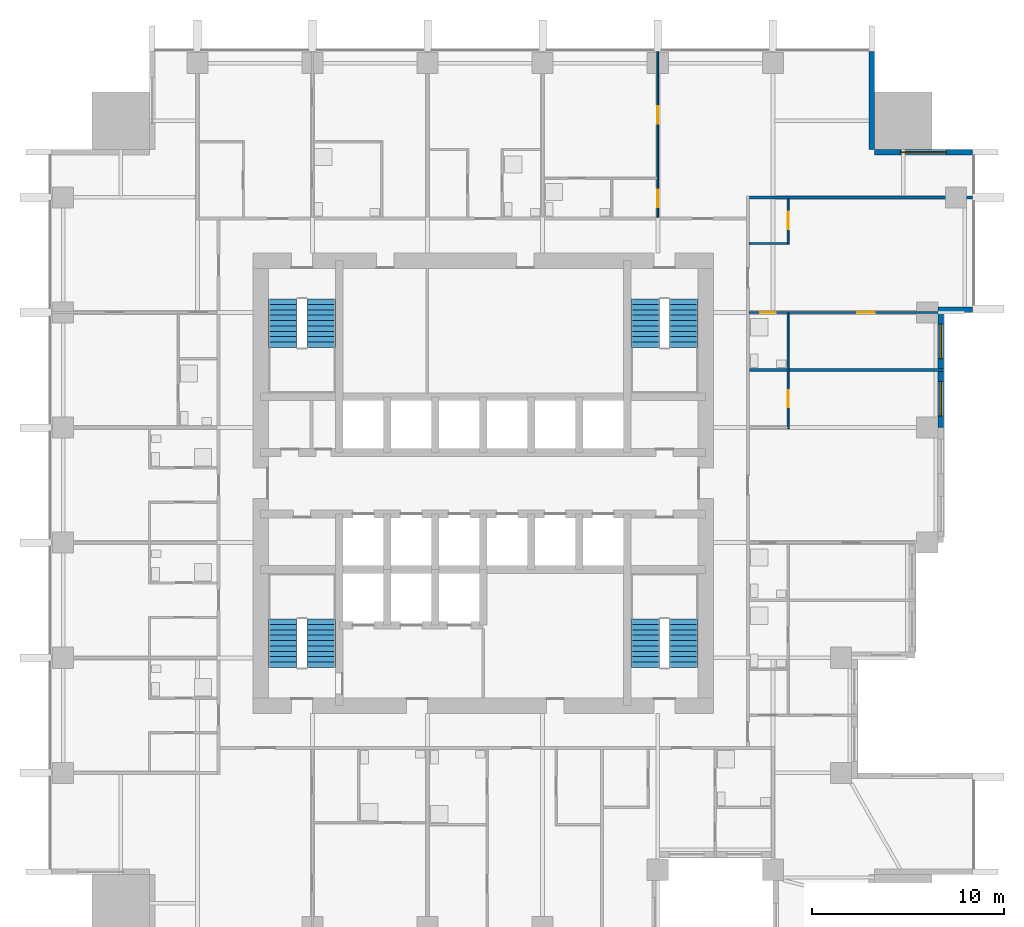
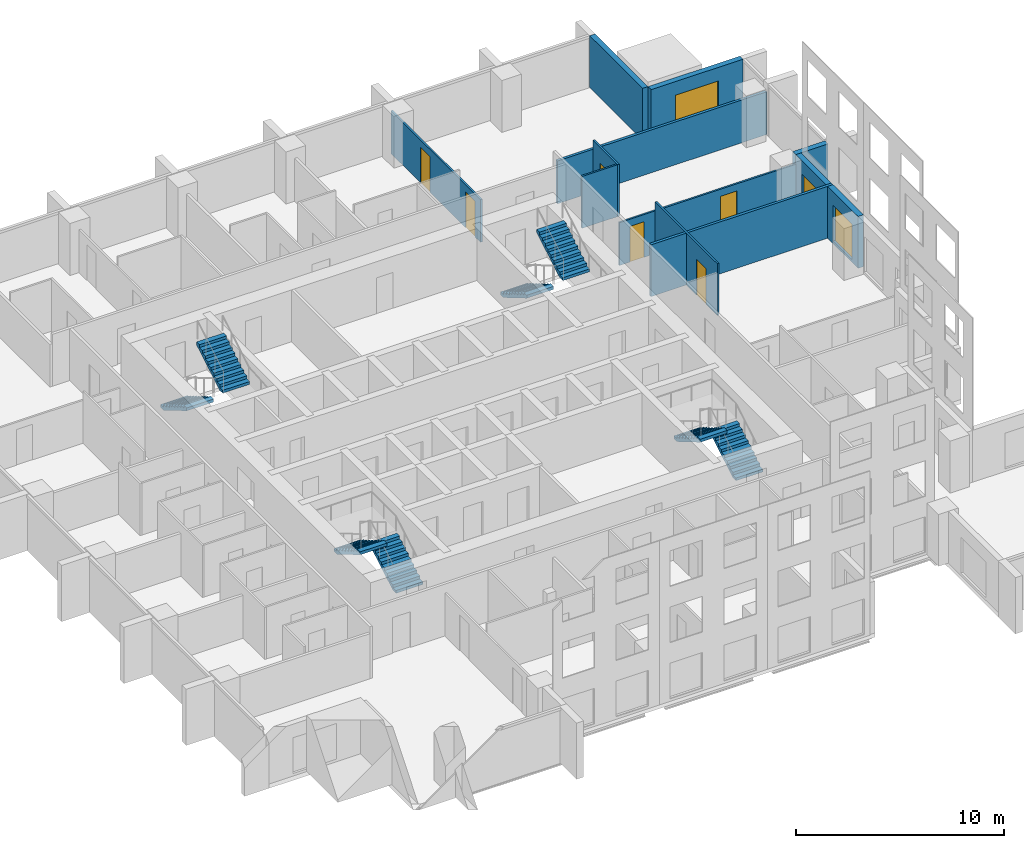
# One storey, part 8 of 11: 11 walls, 8 stair flights, 6 doors, 3 windows, 9 openings, 4 elements without a shape of their own.
"""IFC4 building model written with IfcOpenShell, lengths in metres."""

from ifc_helpers import new_model, si_unit, direction, frame, frame_2d, origin, place, context, subcontext, project, spatial, polyline, rectangle, outline, extrude, material, layer, layer_set, type_object, element, fill, aggregate, save


model = new_model("IFC4")

# Units and contexts
model_context = context("Model", 3, precision=1e-05, world=origin(), true_north=direction((0.0, 1.0)))
body_context = subcontext(model_context, "Body", "Model", "MODEL_VIEW")
ifc_project = project(units=[si_unit("LENGTHUNIT", "METRE"), si_unit("AREAUNIT", "SQUARE_METRE"), si_unit("VOLUMEUNIT", "CUBIC_METRE"), si_unit("PLANEANGLEUNIT", "RADIAN"), si_unit("MASSUNIT", "GRAM", prefix="KILO")], contexts=[model_context])

# Site, building, storey
site_placement = place(None, origin())
site = spatial("IfcSite", under=ifc_project, at=site_placement, CompositionType="ELEMENT")
building_placement = place(site_placement, origin())
building = spatial("IfcBuilding", under=site, at=building_placement, Name="Amberfall Residences", CompositionType="ELEMENT")
storey_placement = place(building_placement, frame((0.0, 0.0, 98.5)))
storey = spatial("IfcBuildingStorey", under=building, at=storey_placement, Name="L26", CompositionType="ELEMENT", Elevation=98.5)

# Wall
ifc_material_1 = material(Name="Pale stone cladding on insulated backing", Category="masonry")
ifc_layer_1 = layer(ifc_material_1, 0.300048828125)
ifc_layer_set_1 = layer_set([ifc_layer_1], Name="Bronze clad wall 300")
wall_type_1 = type_object("IfcWallType", Name="Bronze clad wall 300", PredefinedType="SOLIDWALL", material=ifc_layer_set_1)
wall_1_placement = place(storey_placement, frame((98.199951171875, 54.550048828125, 0.0), z_axis=(0.0, 0.0, 1.0), x_axis=(1.0, 0.0, 0.0)))
element("IfcWall", 1, at=wall_1_placement, inside=storey, type_object=wall_type_1, Name="External wall L26 E", PredefinedType="SOLIDWALL", context=body_context, shape_type="SweptSolid", body=[
    extrude(rectangle(XDim=1.800048828125, YDim=0.300048828125, at=frame_2d((0.89990234375, 0.0))), origin(), (0.0, 0.0, 1.0), 3.050048828125),
])

# Wall, opening, window
wall_2_placement = place(storey_placement, frame((100.0, 62.75, 0.0), z_axis=(0.0, 0.0, 1.0), x_axis=(-1.0, 0.0, 0.0)))
wall_2 = element("IfcWall", 2, at=wall_2_placement, inside=storey, type_object=wall_type_1, Name="External wall L26 NE", PredefinedType="SOLIDWALL", context=body_context, shape_type="SweptSolid", body=[
    extrude(rectangle(XDim=5.10009765625, YDim=0.300048828125, at=frame_2d((2.550048828125, 0.0))), origin(), (0.0, 0.0, 1.0), 3.050048828125),
])
opening_1_placement = place(wall_2_placement, frame((1.35009765625, 0.0, 0.14990234375)))
opening_1 = element("IfcOpeningElement", 3, at=opening_1_placement, cuts=wall_2, Name="Opening WN5", PredefinedType="OPENING", context=body_context, shape_type="SweptSolid", body=[
    extrude(rectangle(XDim=2.39990234375, YDim=2.10009765625, at=frame_2d((1.199951171875, 1.050048828125))), frame((0.0, 0.159912109375, 0.0), z_axis=(0.0, -1.0, 0.0), x_axis=(1.0, 0.0, 0.0)), (0.0, 0.0, 1.0), 0.320068359375),
])
ifc_material_2 = material(Name="Bronze aluminium framed glazing", Category="aluminium")
window_type_1 = type_object("IfcWindowType", Name="Glazed opening 2400 x 2100 bronze", PartitioningType="DOUBLE_PANEL_VERTICAL", PredefinedType="WINDOW", material=ifc_material_2)
window_1_placement = place(opening_1_placement, origin())
window_1 = element("IfcWindow", 4, at=window_1_placement, inside=storey, type_object=window_type_1, Name="Window L26 NE", OverallHeight=2.10009765625, OverallWidth=2.39990234375, PartitioningType="DOUBLE_PANEL_VERTICAL", PredefinedType="WINDOW", context=body_context, shape_type="SweptSolid", body=[
    extrude(rectangle(XDim=2.39990234375, YDim=2.10009765625, at=frame_2d((1.199951171875, 1.050048828125))), frame((0.0, 0.030029296875, 0.0), z_axis=(0.0, -1.0, 0.0), x_axis=(1.0, 0.0, 0.0)), (0.0, 0.0, 1.0), 0.06005859375),
])
fill(opening_1, window_1)

# Wall
wall_3_placement = place(storey_placement, frame((94.75, 62.89990234375, 0.0), z_axis=(0.0, 0.0, 1.0), x_axis=(0.0, 1.0, 0.0)))
element("IfcWall", 5, at=wall_3_placement, inside=storey, type_object=wall_type_1, Name="External wall L26 NE", PredefinedType="SOLIDWALL", context=body_context, shape_type="SweptSolid", body=[
    extrude(rectangle(XDim=5.10009765625, YDim=0.300048828125, at=frame_2d((2.550048828125, 0.0))), origin(), (0.0, 0.0, 1.0), 3.050048828125),
])

# Wall, openings, windows
wall_4_placement = place(storey_placement, frame((98.35009765625, 48.39990234375, 0.0), z_axis=(0.0, 0.0, 1.0), x_axis=(0.0, 1.0, 0.0)))
wall_4 = element("IfcWall", 6, at=wall_4_placement, inside=storey, type_object=wall_type_1, Name="Stone wall L26 E", PredefinedType="SOLIDWALL", context=body_context, shape_type="SweptSolid", body=[
    extrude(rectangle(XDim=6.0, YDim=0.300048828125, at=frame_2d((3.0, 0.0))), origin(), (0.0, 0.0, 1.0), 3.050048828125),
])
opening_2_placement = place(wall_4_placement, frame((0.60009765625, 0.0, 0.14990234375)))
opening_2 = element("IfcOpeningElement", 7, at=opening_2_placement, cuts=wall_4, Name="Opening WN6", PredefinedType="OPENING", context=body_context, shape_type="SweptSolid", body=[
    extrude(rectangle(XDim=1.800048828125, YDim=2.10009765625, at=frame_2d((0.89990234375, 1.050048828125))), frame((0.0, 0.159912109375, 0.0), z_axis=(0.0, -1.0, 0.0), x_axis=(1.0, 0.0, 0.0)), (0.0, 0.0, 1.0), 0.320068359375),
])
opening_3_placement = place(wall_4_placement, frame((3.60009765625, 0.0, 0.14990234375)))
opening_3 = element("IfcOpeningElement", 8, at=opening_3_placement, cuts=wall_4, Name="Opening WN6", PredefinedType="OPENING", context=body_context, shape_type="SweptSolid", body=[
    extrude(rectangle(XDim=1.800048828125, YDim=2.10009765625, at=frame_2d((0.89990234375, 1.050048828125))), frame((0.0, 0.159912109375, 0.0), z_axis=(0.0, -1.0, 0.0), x_axis=(1.0, 0.0, 0.0)), (0.0, 0.0, 1.0), 0.320068359375),
])
window_type_2 = type_object("IfcWindowType", Name="Glazed opening 1800 x 2100 bronze", PartitioningType="DOUBLE_PANEL_VERTICAL", PredefinedType="WINDOW", material=ifc_material_2)
window_2_placement = place(opening_2_placement, origin())
window_2 = element("IfcWindow", 9, at=window_2_placement, inside=storey, type_object=window_type_2, Name="Window L26 E", OverallHeight=2.10009765625, OverallWidth=1.800048828125, PartitioningType="DOUBLE_PANEL_VERTICAL", PredefinedType="WINDOW", context=body_context, shape_type="SweptSolid", body=[
    extrude(rectangle(XDim=1.800048828125, YDim=2.10009765625, at=frame_2d((0.89990234375, 1.050048828125))), frame((0.0, 0.030029296875, 0.0), z_axis=(0.0, -1.0, 0.0), x_axis=(1.0, 0.0, 0.0)), (0.0, 0.0, 1.0), 0.06005859375),
])
fill(opening_2, window_2)
window_3_placement = place(opening_3_placement, origin())
window_3 = element("IfcWindow", 10, at=window_3_placement, inside=storey, type_object=window_type_2, Name="Window L26 E", OverallHeight=2.10009765625, OverallWidth=1.800048828125, PartitioningType="DOUBLE_PANEL_VERTICAL", PredefinedType="WINDOW", context=body_context, shape_type="SweptSolid", body=[
    extrude(rectangle(XDim=1.800048828125, YDim=2.10009765625, at=frame_2d((0.89990234375, 1.050048828125))), frame((0.0, 0.030029296875, 0.0), z_axis=(0.0, -1.0, 0.0), x_axis=(1.0, 0.0, 0.0)), (0.0, 0.0, 1.0), 0.06005859375),
])
fill(opening_3, window_3)

# Wall, openings, doors
ifc_material_3 = material(Name="Gypsum board on metal stud")
ifc_layer_2 = layer(ifc_material_3, 0.10009765625)
ifc_layer_set_2 = layer_set([ifc_layer_2], Name="Flat partition 100")
wall_type_2 = type_object("IfcWallType", Name="Flat partition 100", PredefinedType="PARTITIONING", material=ifc_layer_set_2)
wall_5_placement = place(storey_placement, frame((83.60009765625, 59.375, 0.0), z_axis=(0.0, 0.0, 1.0), x_axis=(0.0, 1.0, 0.0)))
wall_5 = element("IfcWall", 11, at=wall_5_placement, inside=storey, type_object=wall_type_2, Name="Partition 017", PredefinedType="PARTITIONING", context=body_context, shape_type="SweptSolid", body=[
    extrude(rectangle(XDim=8.625, YDim=0.10009765625, at=frame_2d((4.3125, 0.0))), origin(), (0.0, 0.0, 1.0), 2.51611328125),
])
opening_4_placement = place(wall_5_placement, frame((0.52490234375, 0.0, 0.0)))
opening_4 = element("IfcOpeningElement", 12, at=opening_4_placement, cuts=wall_5, Name="Opening D41", PredefinedType="OPENING", context=body_context, shape_type="SweptSolid", body=[
    extrude(rectangle(XDim=0.89990234375, YDim=2.10009765625, at=frame_2d((0.449951171875, 1.050048828125))), frame((0.0, 0.06005859375, 0.0), z_axis=(0.0, -1.0, 0.0), x_axis=(1.0, 0.0, 0.0)), (0.0, 0.0, 1.0), 0.1201171875),
])
opening_5_placement = place(wall_5_placement, frame((4.875, 0.0, 0.0)))
opening_5 = element("IfcOpeningElement", 13, at=opening_5_placement, cuts=wall_5, Name="Opening D41", PredefinedType="OPENING", context=body_context, shape_type="SweptSolid", body=[
    extrude(rectangle(XDim=0.89990234375, YDim=2.10009765625, at=frame_2d((0.449951171875, 1.050048828125))), frame((0.0, 0.06005859375, 0.0), z_axis=(0.0, -1.0, 0.0), x_axis=(1.0, 0.0, 0.0)), (0.0, 0.0, 1.0), 0.1201171875),
])
ifc_material_4 = material(Name="Timber", Category="wood")
door_type_1 = type_object("IfcDoorType", Name="Internal door 900 x 2100", OperationType="SINGLE_SWING_LEFT", PredefinedType="DOOR", material=ifc_material_4)
door_1_placement = place(opening_4_placement, origin())
door_1 = element("IfcDoor", 14, at=door_1_placement, inside=storey, type_object=door_type_1, Name="Door 2609 kitchen", OperationType="SINGLE_SWING_LEFT", OverallHeight=2.10009765625, OverallWidth=0.89990234375, PredefinedType="DOOR", context=body_context, shape_type="SweptSolid", body=[
    extrude(rectangle(XDim=0.89990234375, YDim=2.10009765625, at=frame_2d((0.449951171875, 1.050048828125))), frame((0.0, 0.02490234375, 0.0), z_axis=(0.0, -1.0, 0.0), x_axis=(1.0, 0.0, 0.0)), (0.0, 0.0, 1.0), 0.050048828125),
])
fill(opening_4, door_1)
door_2_placement = place(opening_5_placement, origin())
door_2 = element("IfcDoor", 15, at=door_2_placement, inside=storey, type_object=door_type_1, Name="Door 2609 bedroom1", OperationType="SINGLE_SWING_LEFT", OverallHeight=2.10009765625, OverallWidth=0.89990234375, PredefinedType="DOOR", context=body_context, shape_type="SweptSolid", body=[
    extrude(rectangle(XDim=0.89990234375, YDim=2.10009765625, at=frame_2d((0.449951171875, 1.050048828125))), frame((0.0, 0.02490234375, 0.0), z_axis=(0.0, -1.0, 0.0), x_axis=(1.0, 0.0, 0.0)), (0.0, 0.0, 1.0), 0.050048828125),
])
fill(opening_5, door_2)

# Wall, opening, door
wall_6_placement = place(storey_placement, frame((90.39990234375, 48.35009765625, 0.0), z_axis=(0.0, 0.0, 1.0), x_axis=(0.0, 1.0, 0.0)))
wall_6 = element("IfcWall", 16, at=wall_6_placement, inside=storey, type_object=wall_type_2, Name="Partition 020", PredefinedType="PARTITIONING", context=body_context, shape_type="SweptSolid", body=[
    extrude(rectangle(XDim=6.0, YDim=0.10009765625, at=frame_2d((3.0, 0.0))), origin(), (0.0, 0.0, 1.0), 3.050048828125),
])
opening_6_placement = place(wall_6_placement, frame((1.10009765625, 0.0, 0.0)))
opening_6 = element("IfcOpeningElement", 17, at=opening_6_placement, cuts=wall_6, Name="Opening D41", PredefinedType="OPENING", context=body_context, shape_type="SweptSolid", body=[
    extrude(rectangle(XDim=0.89990234375, YDim=2.10009765625, at=frame_2d((0.449951171875, 1.050048828125))), frame((0.0, 0.06005859375, 0.0), z_axis=(0.0, -1.0, 0.0), x_axis=(1.0, 0.0, 0.0)), (0.0, 0.0, 1.0), 0.1201171875),
])
door_3_placement = place(opening_6_placement, origin())
door_3 = element("IfcDoor", 18, at=door_3_placement, inside=storey, type_object=door_type_1, Name="Door 2605 kitchen", OperationType="SINGLE_SWING_LEFT", OverallHeight=2.10009765625, OverallWidth=0.89990234375, PredefinedType="DOOR", context=body_context, shape_type="SweptSolid", body=[
    extrude(rectangle(XDim=0.89990234375, YDim=2.10009765625, at=frame_2d((0.449951171875, 1.050048828125))), frame((0.0, 0.02490234375, 0.0), z_axis=(0.0, -1.0, 0.0), x_axis=(1.0, 0.0, 0.0)), (0.0, 0.0, 1.0), 0.050048828125),
])
fill(opening_6, door_3)

wall_7_placement = place(storey_placement, frame((90.39990234375, 57.949951171875, 0.0), z_axis=(0.0, 0.0, 1.0), x_axis=(0.0, 1.0, 0.0)))
wall_7 = element("IfcWall", 19, at=wall_7_placement, inside=storey, type_object=wall_type_2, Name="Partition 021", PredefinedType="PARTITIONING", context=body_context, shape_type="SweptSolid", body=[
    extrude(rectangle(XDim=2.375, YDim=0.10009765625, at=frame_2d((1.1875, 0.0))), origin(), (0.0, 0.0, 1.0), 3.050048828125),
])
opening_7_placement = place(wall_7_placement, frame((0.800048828125, 0.0, 0.0)))
opening_7 = element("IfcOpeningElement", 20, at=opening_7_placement, cuts=wall_7, Name="Opening D41", PredefinedType="OPENING", context=body_context, shape_type="SweptSolid", body=[
    extrude(rectangle(XDim=0.89990234375, YDim=2.10009765625, at=frame_2d((0.449951171875, 1.050048828125))), frame((0.0, 0.06005859375, 0.0), z_axis=(0.0, -1.0, 0.0), x_axis=(1.0, 0.0, 0.0)), (0.0, 0.0, 1.0), 0.1201171875),
])
door_4_placement = place(opening_7_placement, origin())
door_4 = element("IfcDoor", 21, at=door_4_placement, inside=storey, type_object=door_type_1, Name="Door 2606 kitchen", OperationType="SINGLE_SWING_LEFT", OverallHeight=2.10009765625, OverallWidth=0.89990234375, PredefinedType="DOOR", context=body_context, shape_type="SweptSolid", body=[
    extrude(rectangle(XDim=0.89990234375, YDim=2.10009765625, at=frame_2d((0.449951171875, 1.050048828125))), frame((0.0, 0.02490234375, 0.0), z_axis=(0.0, -1.0, 0.0), x_axis=(1.0, 0.0, 0.0)), (0.0, 0.0, 1.0), 0.050048828125),
])
fill(opening_7, door_4)

# Wall
wall_8_placement = place(storey_placement, frame((88.375, 58.0, 0.0), z_axis=(0.0, 0.0, 1.0), x_axis=(1.0, 0.0, 0.0)))
element("IfcWall", 22, at=wall_8_placement, inside=storey, type_object=wall_type_2, Name="Partition 027", PredefinedType="PARTITIONING", context=body_context, shape_type="SweptSolid", body=[
    extrude(rectangle(XDim=1.97509765625, YDim=0.10009765625, at=frame_2d((0.987548828125, 0.0))), origin(), (0.0, 0.0, 1.0), 3.050048828125),
])

# Wall, openings, doors
wall_9_placement = place(storey_placement, frame((98.5, 54.39990234375, 0.0), z_axis=(0.0, 0.0, 1.0), x_axis=(-1.0, 0.0, 0.0)))
wall_9 = element("IfcWall", 23, at=wall_9_placement, inside=storey, type_object=wall_type_2, Name="Partition 029", PredefinedType="PARTITIONING", context=body_context, shape_type="SweptSolid", body=[
    extrude(rectangle(XDim=10.125, YDim=0.10009765625, at=frame_2d((5.0625, 0.0))), origin(), (0.0, 0.0, 1.0), 2.51611328125),
])
opening_8_placement = place(wall_9_placement, frame((3.60009765625, 0.0, 0.0)))
opening_8 = element("IfcOpeningElement", 24, at=opening_8_placement, cuts=wall_9, Name="Opening D41", PredefinedType="OPENING", context=body_context, shape_type="SweptSolid", body=[
    extrude(rectangle(XDim=0.89990234375, YDim=2.10009765625, at=frame_2d((0.449951171875, 1.050048828125))), frame((0.0, 0.06005859375, 0.0), z_axis=(0.0, -1.0, 0.0), x_axis=(1.0, 0.0, 0.0)), (0.0, 0.0, 1.0), 0.1201171875),
])
opening_9_placement = place(wall_9_placement, frame((8.75, 0.0, 0.0)))
opening_9 = element("IfcOpeningElement", 25, at=opening_9_placement, cuts=wall_9, Name="Opening D42", PredefinedType="OPENING", context=body_context, shape_type="SweptSolid", body=[
    extrude(rectangle(XDim=0.800048828125, YDim=2.10009765625, at=frame_2d((0.39990234375, 1.050048828125))), frame((0.0, 0.06005859375, 0.0), z_axis=(0.0, -1.0, 0.0), x_axis=(1.0, 0.0, 0.0)), (0.0, 0.0, 1.0), 0.1201171875),
])
door_type_2 = type_object("IfcDoorType", Name="Bathroom door 800 x 2100", OperationType="SINGLE_SWING_LEFT", PredefinedType="DOOR", material=ifc_material_4)
door_5_placement = place(opening_9_placement, origin())
door_5 = element("IfcDoor", 26, at=door_5_placement, inside=storey, type_object=door_type_2, Name="Door 2606 bath1", OperationType="SINGLE_SWING_LEFT", OverallHeight=2.10009765625, OverallWidth=0.800048828125, PredefinedType="DOOR", context=body_context, shape_type="SweptSolid", body=[
    extrude(rectangle(XDim=0.800048828125, YDim=2.10009765625, at=frame_2d((0.39990234375, 1.050048828125))), frame((0.0, 0.02490234375, 0.0), z_axis=(0.0, -1.0, 0.0), x_axis=(1.0, 0.0, 0.0)), (0.0, 0.0, 1.0), 0.050048828125),
])
fill(opening_9, door_5)
door_6_placement = place(opening_8_placement, origin())
door_6 = element("IfcDoor", 27, at=door_6_placement, inside=storey, type_object=door_type_1, Name="Door 2606 bedroom1", OperationType="SINGLE_SWING_LEFT", OverallHeight=2.10009765625, OverallWidth=0.89990234375, PredefinedType="DOOR", context=body_context, shape_type="SweptSolid", body=[
    extrude(rectangle(XDim=0.89990234375, YDim=2.10009765625, at=frame_2d((0.449951171875, 1.050048828125))), frame((0.0, 0.02490234375, 0.0), z_axis=(0.0, -1.0, 0.0), x_axis=(1.0, 0.0, 0.0)), (0.0, 0.0, 1.0), 0.050048828125),
])
fill(opening_8, door_6)

# Walls
ifc_material_5 = material(Name="Blockwork, plastered", Category="masonry")
ifc_layer_3 = layer(ifc_material_5, 0.14990234375)
ifc_layer_set_3 = layer_set([ifc_layer_3], Name="Flat separating wall 150")
wall_type_3 = type_object("IfcWallType", Name="Flat separating wall 150", PredefinedType="PARTITIONING", material=ifc_layer_set_3)
wall_10_placement = place(storey_placement, frame((88.375, 60.39990234375, 0.0), z_axis=(0.0, 0.0, 1.0), x_axis=(1.0, 0.0, 0.0)))
element("IfcWall", 28, at=wall_10_placement, inside=storey, type_object=wall_type_3, Name="Separating wall 054", PredefinedType="PARTITIONING", context=body_context, shape_type="SweptSolid", body=[
    extrude(rectangle(XDim=11.625, YDim=0.14990234375, at=frame_2d((5.8125, 0.0))), origin(), (0.0, 0.0, 1.0), 2.51611328125),
])
wall_11_placement = place(storey_placement, frame((88.375, 51.39990234375, 0.0), z_axis=(0.0, 0.0, 1.0), x_axis=(1.0, 0.0, 0.0)))
element("IfcWall", 29, at=wall_11_placement, inside=storey, type_object=wall_type_3, Name="Separating wall 056", PredefinedType="PARTITIONING", context=body_context, shape_type="SweptSolid", body=[
    extrude(rectangle(XDim=10.125, YDim=0.14990234375, at=frame_2d((5.0625, 0.0))), origin(), (0.0, 0.0, 1.0), 3.050048828125),
])

# Stair, stair flights
ifc_material_6 = material(Name="Concrete C40", Category="concrete")
stair_type = type_object("IfcStairType", Name="Exit stair 20 risers 165.0 mm", PredefinedType="HALF_TURN_STAIR", material=ifc_material_6)
stair_1_placement = place(storey_placement, origin())
stair_1 = element("IfcStair", 30, at=stair_1_placement, inside=storey, type_object=stair_type, Name="L26 Exit stair 1", PredefinedType="HALF_TURN_STAIR")
stair_flight_type = type_object("IfcStairFlightType", Name="Stair flight 10 risers 165.0 mm", PredefinedType="STRAIGHT", material=ifc_material_6)
stair_flight_1_placement = place(storey_placement, frame((66.050048828125, 35.89990234375, 0.0), z_axis=(0.0, 0.0, 1.0), x_axis=(0.0, 1.0, 0.0)))
stair_flight_1 = element("IfcStairFlight", 31, at=stair_flight_1_placement, type_object=stair_flight_type, Name="ST3 flight 1", NumberOfRisers=10, NumberOfTreads=9, PredefinedType="STRAIGHT", RiserHeight=0.165, TreadLength=0.28, context=body_context, shape_type="SweptSolid", body=[
    extrude(outline(polyline([(0.0, 0.0), (0.0, 0.1650390625), (0.280029296875, 0.1650390625), (0.280029296875, 0.330078125), (0.56005859375, 0.330078125), (0.56005859375, 0.4951171875), (0.840087890625, 0.4951171875), (0.840087890625, 0.659912109375), (1.1201171875, 0.659912109375), (1.1201171875, 0.824951171875), (1.39990234375, 0.824951171875), (1.39990234375, 0.989990234375), (1.679931640625, 0.989990234375), (1.679931640625, 1.155029296875), (1.9599609375, 1.155029296875), (1.9599609375, 1.320068359375), (2.239990234375, 1.320068359375), (2.239990234375, 1.485107421875), (2.52001953125, 1.485107421875), (2.52001953125, 1.64990234375), (2.52001953125, 1.31103515625), (0.295166015625, 0.0), (0.0, 0.0)])), frame((0.0, 0.75, 0.0), z_axis=(0.0, -1.0, 0.0), x_axis=(1.0, 0.0, 0.0)), (0.0, 0.0, 1.0), 1.5),
])
stair_flight_2_placement = place(storey_placement, frame((64.050048828125, 38.419921875, 1.64990234375), z_axis=(0.0, 0.0, 1.0), x_axis=(0.0, -1.0, 0.0)))
stair_flight_2 = element("IfcStairFlight", 32, at=stair_flight_2_placement, type_object=stair_flight_type, Name="ST3 flight 2", NumberOfRisers=10, NumberOfTreads=9, PredefinedType="STRAIGHT", RiserHeight=0.165, TreadLength=0.28, context=body_context, shape_type="SweptSolid", body=[
    extrude(outline(polyline([(0.0, 0.0), (0.0, 0.1650390625), (0.280029296875, 0.1650390625), (0.280029296875, 0.330078125), (0.56005859375, 0.330078125), (0.56005859375, 0.4951171875), (0.840087890625, 0.4951171875), (0.840087890625, 0.659912109375), (1.1201171875, 0.659912109375), (1.1201171875, 0.824951171875), (1.39990234375, 0.824951171875), (1.39990234375, 0.989990234375), (1.679931640625, 0.989990234375), (1.679931640625, 1.155029296875), (1.9599609375, 1.155029296875), (1.9599609375, 1.320068359375), (2.239990234375, 1.320068359375), (2.239990234375, 1.485107421875), (2.52001953125, 1.485107421875), (2.52001953125, 1.64990234375), (2.52001953125, 1.31103515625), (0.295166015625, 0.0), (0.0, 0.0)])), frame((0.0, 0.75, 0.0), z_axis=(0.0, -1.0, 0.0), x_axis=(1.0, 0.0, 0.0)), (0.0, 0.0, 1.0), 1.5),
])
aggregate(stair_1, [stair_flight_1, stair_flight_2])

stair_2_placement = place(storey_placement, origin())
stair_2 = element("IfcStair", 33, at=stair_2_placement, inside=storey, type_object=stair_type, Name="L26 Exit stair 2", PredefinedType="HALF_TURN_STAIR")
stair_flight_3_placement = place(storey_placement, frame((84.949951171875, 35.89990234375, 0.0), z_axis=(0.0, 0.0, 1.0), x_axis=(0.0, 1.0, 0.0)))
stair_flight_3 = element("IfcStairFlight", 34, at=stair_flight_3_placement, type_object=stair_flight_type, Name="ST3 flight 1", NumberOfRisers=10, NumberOfTreads=9, PredefinedType="STRAIGHT", RiserHeight=0.165, TreadLength=0.28, context=body_context, shape_type="SweptSolid", body=[
    extrude(outline(polyline([(0.0, 0.0), (0.0, 0.1650390625), (0.280029296875, 0.1650390625), (0.280029296875, 0.330078125), (0.56005859375, 0.330078125), (0.56005859375, 0.4951171875), (0.840087890625, 0.4951171875), (0.840087890625, 0.659912109375), (1.1201171875, 0.659912109375), (1.1201171875, 0.824951171875), (1.39990234375, 0.824951171875), (1.39990234375, 0.989990234375), (1.679931640625, 0.989990234375), (1.679931640625, 1.155029296875), (1.9599609375, 1.155029296875), (1.9599609375, 1.320068359375), (2.239990234375, 1.320068359375), (2.239990234375, 1.485107421875), (2.52001953125, 1.485107421875), (2.52001953125, 1.64990234375), (2.52001953125, 1.31103515625), (0.295166015625, 0.0), (0.0, 0.0)])), frame((0.0, 0.75, 0.0), z_axis=(0.0, -1.0, 0.0), x_axis=(1.0, 0.0, 0.0)), (0.0, 0.0, 1.0), 1.5),
])
stair_flight_4_placement = place(storey_placement, frame((82.949951171875, 38.419921875, 1.64990234375), z_axis=(0.0, 0.0, 1.0), x_axis=(0.0, -1.0, 0.0)))
stair_flight_4 = element("IfcStairFlight", 35, at=stair_flight_4_placement, type_object=stair_flight_type, Name="ST3 flight 2", NumberOfRisers=10, NumberOfTreads=9, PredefinedType="STRAIGHT", RiserHeight=0.165, TreadLength=0.28, context=body_context, shape_type="SweptSolid", body=[
    extrude(outline(polyline([(0.0, 0.0), (0.0, 0.1650390625), (0.280029296875, 0.1650390625), (0.280029296875, 0.330078125), (0.56005859375, 0.330078125), (0.56005859375, 0.4951171875), (0.840087890625, 0.4951171875), (0.840087890625, 0.659912109375), (1.1201171875, 0.659912109375), (1.1201171875, 0.824951171875), (1.39990234375, 0.824951171875), (1.39990234375, 0.989990234375), (1.679931640625, 0.989990234375), (1.679931640625, 1.155029296875), (1.9599609375, 1.155029296875), (1.9599609375, 1.320068359375), (2.239990234375, 1.320068359375), (2.239990234375, 1.485107421875), (2.52001953125, 1.485107421875), (2.52001953125, 1.64990234375), (2.52001953125, 1.31103515625), (0.295166015625, 0.0), (0.0, 0.0)])), frame((0.0, 0.75, 0.0), z_axis=(0.0, -1.0, 0.0), x_axis=(1.0, 0.0, 0.0)), (0.0, 0.0, 1.0), 1.5),
])
aggregate(stair_2, [stair_flight_3, stair_flight_4])

stair_3_placement = place(storey_placement, origin())
stair_3 = element("IfcStair", 36, at=stair_3_placement, inside=storey, type_object=stair_type, Name="L26 Exit stair 3", PredefinedType="HALF_TURN_STAIR")
stair_flight_5_placement = place(storey_placement, frame((82.949951171875, 55.10009765625, 0.0), z_axis=(0.0, 0.0, 1.0), x_axis=(0.0, -1.0, 0.0)))
stair_flight_5 = element("IfcStairFlight", 37, at=stair_flight_5_placement, type_object=stair_flight_type, Name="ST3 flight 1", NumberOfRisers=10, NumberOfTreads=9, PredefinedType="STRAIGHT", RiserHeight=0.165, TreadLength=0.28, context=body_context, shape_type="SweptSolid", body=[
    extrude(outline(polyline([(0.0, 0.0), (0.0, 0.1650390625), (0.280029296875, 0.1650390625), (0.280029296875, 0.330078125), (0.56005859375, 0.330078125), (0.56005859375, 0.4951171875), (0.840087890625, 0.4951171875), (0.840087890625, 0.659912109375), (1.1201171875, 0.659912109375), (1.1201171875, 0.824951171875), (1.39990234375, 0.824951171875), (1.39990234375, 0.989990234375), (1.679931640625, 0.989990234375), (1.679931640625, 1.155029296875), (1.9599609375, 1.155029296875), (1.9599609375, 1.320068359375), (2.239990234375, 1.320068359375), (2.239990234375, 1.485107421875), (2.52001953125, 1.485107421875), (2.52001953125, 1.64990234375), (2.52001953125, 1.31103515625), (0.295166015625, 0.0), (0.0, 0.0)])), frame((0.0, 0.75, 0.0), z_axis=(0.0, -1.0, 0.0), x_axis=(1.0, 0.0, 0.0)), (0.0, 0.0, 1.0), 1.5),
])
stair_flight_6_placement = place(storey_placement, frame((84.949951171875, 52.580078125, 1.64990234375), z_axis=(0.0, 0.0, 1.0), x_axis=(0.0, 1.0, 0.0)))
stair_flight_6 = element("IfcStairFlight", 38, at=stair_flight_6_placement, type_object=stair_flight_type, Name="ST3 flight 2", NumberOfRisers=10, NumberOfTreads=9, PredefinedType="STRAIGHT", RiserHeight=0.165, TreadLength=0.28, context=body_context, shape_type="SweptSolid", body=[
    extrude(outline(polyline([(0.0, 0.0), (0.0, 0.1650390625), (0.280029296875, 0.1650390625), (0.280029296875, 0.330078125), (0.56005859375, 0.330078125), (0.56005859375, 0.4951171875), (0.840087890625, 0.4951171875), (0.840087890625, 0.659912109375), (1.1201171875, 0.659912109375), (1.1201171875, 0.824951171875), (1.39990234375, 0.824951171875), (1.39990234375, 0.989990234375), (1.679931640625, 0.989990234375), (1.679931640625, 1.155029296875), (1.9599609375, 1.155029296875), (1.9599609375, 1.320068359375), (2.239990234375, 1.320068359375), (2.239990234375, 1.485107421875), (2.52001953125, 1.485107421875), (2.52001953125, 1.64990234375), (2.52001953125, 1.31103515625), (0.295166015625, 0.0), (0.0, 0.0)])), frame((0.0, 0.75, 0.0), z_axis=(0.0, -1.0, 0.0), x_axis=(1.0, 0.0, 0.0)), (0.0, 0.0, 1.0), 1.5),
])
aggregate(stair_3, [stair_flight_5, stair_flight_6])

stair_4_placement = place(storey_placement, origin())
stair_4 = element("IfcStair", 39, at=stair_4_placement, inside=storey, type_object=stair_type, Name="L26 Exit stair 4", PredefinedType="HALF_TURN_STAIR")
stair_flight_7_placement = place(storey_placement, frame((64.050048828125, 55.10009765625, 0.0), z_axis=(0.0, 0.0, 1.0), x_axis=(0.0, -1.0, 0.0)))
stair_flight_7 = element("IfcStairFlight", 40, at=stair_flight_7_placement, type_object=stair_flight_type, Name="ST3 flight 1", NumberOfRisers=10, NumberOfTreads=9, PredefinedType="STRAIGHT", RiserHeight=0.165, TreadLength=0.28, context=body_context, shape_type="SweptSolid", body=[
    extrude(outline(polyline([(0.0, 0.0), (0.0, 0.1650390625), (0.280029296875, 0.1650390625), (0.280029296875, 0.330078125), (0.56005859375, 0.330078125), (0.56005859375, 0.4951171875), (0.840087890625, 0.4951171875), (0.840087890625, 0.659912109375), (1.1201171875, 0.659912109375), (1.1201171875, 0.824951171875), (1.39990234375, 0.824951171875), (1.39990234375, 0.989990234375), (1.679931640625, 0.989990234375), (1.679931640625, 1.155029296875), (1.9599609375, 1.155029296875), (1.9599609375, 1.320068359375), (2.239990234375, 1.320068359375), (2.239990234375, 1.485107421875), (2.52001953125, 1.485107421875), (2.52001953125, 1.64990234375), (2.52001953125, 1.31103515625), (0.295166015625, 0.0), (0.0, 0.0)])), frame((0.0, 0.75, 0.0), z_axis=(0.0, -1.0, 0.0), x_axis=(1.0, 0.0, 0.0)), (0.0, 0.0, 1.0), 1.5),
])
stair_flight_8_placement = place(storey_placement, frame((66.050048828125, 52.580078125, 1.64990234375), z_axis=(0.0, 0.0, 1.0), x_axis=(0.0, 1.0, 0.0)))
stair_flight_8 = element("IfcStairFlight", 41, at=stair_flight_8_placement, type_object=stair_flight_type, Name="ST3 flight 2", NumberOfRisers=10, NumberOfTreads=9, PredefinedType="STRAIGHT", RiserHeight=0.165, TreadLength=0.28, context=body_context, shape_type="SweptSolid", body=[
    extrude(outline(polyline([(0.0, 0.0), (0.0, 0.1650390625), (0.280029296875, 0.1650390625), (0.280029296875, 0.330078125), (0.56005859375, 0.330078125), (0.56005859375, 0.4951171875), (0.840087890625, 0.4951171875), (0.840087890625, 0.659912109375), (1.1201171875, 0.659912109375), (1.1201171875, 0.824951171875), (1.39990234375, 0.824951171875), (1.39990234375, 0.989990234375), (1.679931640625, 0.989990234375), (1.679931640625, 1.155029296875), (1.9599609375, 1.155029296875), (1.9599609375, 1.320068359375), (2.239990234375, 1.320068359375), (2.239990234375, 1.485107421875), (2.52001953125, 1.485107421875), (2.52001953125, 1.64990234375), (2.52001953125, 1.31103515625), (0.295166015625, 0.0), (0.0, 0.0)])), frame((0.0, 0.75, 0.0), z_axis=(0.0, -1.0, 0.0), x_axis=(1.0, 0.0, 0.0)), (0.0, 0.0, 1.0), 1.5),
])
aggregate(stair_4, [stair_flight_7, stair_flight_8])

save(model, "model.ifc")
